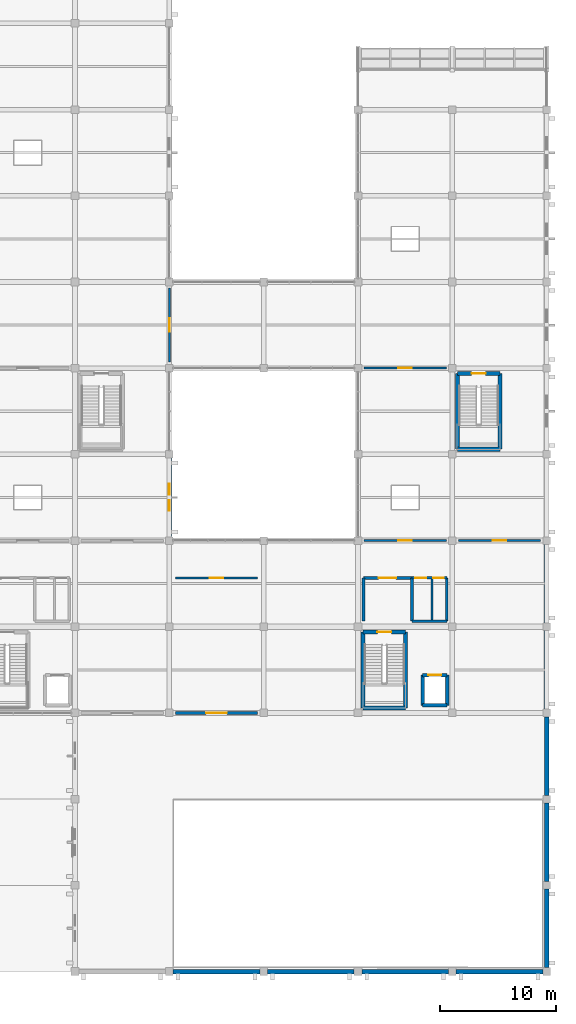
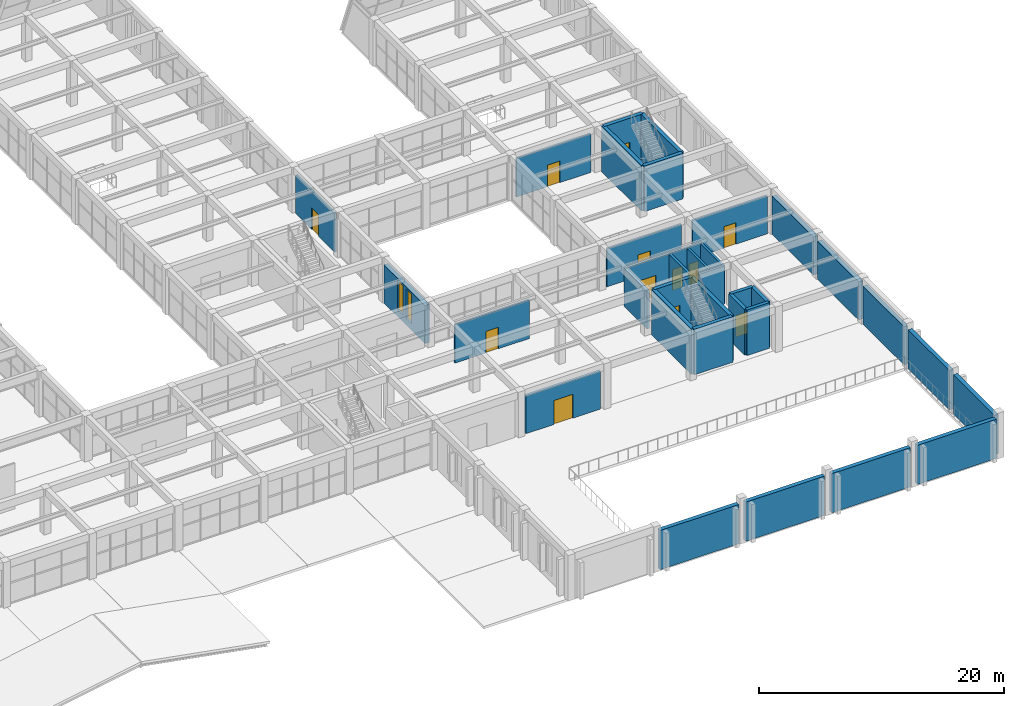
# One storey, part 151 of 161: 35 walls, 12 doors, 2 windows, 14 openings.
"""IFC4 building model written with IfcOpenShell, lengths in metres."""

from ifc_helpers import new_model, si_unit, direction, frame, frame_2d, origin, place, context, subcontext, project, spatial, rectangle, extrude, material, layer, layer_set, type_object, element, fill, save


model = new_model("IFC4")

# Units and contexts
model_context = context("Model", 3, precision=1e-05, world=origin(), true_north=direction((0.0, 1.0)))
body_context = subcontext(model_context, "Body", "Model", "MODEL_VIEW")
ifc_project = project(units=[si_unit("LENGTHUNIT", "METRE"), si_unit("AREAUNIT", "SQUARE_METRE"), si_unit("VOLUMEUNIT", "CUBIC_METRE"), si_unit("PLANEANGLEUNIT", "RADIAN"), si_unit("MASSUNIT", "GRAM", prefix="KILO")], contexts=[model_context])

# Site, building, storey
site_placement = place(None, origin())
site = spatial("IfcSite", under=ifc_project, at=site_placement, CompositionType="ELEMENT")
building_placement = place(site_placement, origin())
building = spatial("IfcBuilding", under=site, at=building_placement, Name="Cimatlan Art Gallery", CompositionType="ELEMENT")
storey_placement = place(building_placement, frame((0.0, 0.0, 5.39990234375)))
storey = spatial("IfcBuildingStorey", under=building, at=storey_placement, Name="L01", CompositionType="ELEMENT", Elevation=5.39990234375)

# Walls
ifc_material_1 = material(Name="Concrete C40/50", Category="concrete")
ifc_layer_1 = layer(ifc_material_1, 0.31005859375)
ifc_layer_set_1 = layer_set([ifc_layer_1], Name="Concrete C40/50")
wall_type_1 = type_object("IfcWallType", Name="W-CORE-310", PredefinedType="SHEAR", material=ifc_layer_set_1)
wall_1_placement = place(storey_placement, frame((153.35009765625, 24.550048828125, 0.0), z_axis=(0.0, 0.0, 1.0), x_axis=(0.0, 1.0, 0.0)))
element("IfcWall", 1, at=wall_1_placement, inside=storey, type_object=wall_type_1, Name="WL-SHFT-C5-L01-LW", PredefinedType="SHEAR", context=body_context, shape_type="SweptSolid", body=[
    extrude(rectangle(XDim=2.599853515625, YDim=0.31005859375, at=frame_2d((1.2998046875, 0.0))), origin(), (0.0, 0.0, 1.0), 4.55517578125),
])
wall_2_placement = place(storey_placement, frame((153.35009765625, 24.550048828125, 0.0), z_axis=(0.0, 0.0, 1.0), x_axis=(1.0, 0.0, 0.0)))
element("IfcWall", 2, at=wall_2_placement, inside=storey, type_object=wall_type_1, Name="WL-SHFT-C5-L01-LS", PredefinedType="SHEAR", context=body_context, shape_type="SweptSolid", body=[
    extrude(rectangle(XDim=2.099853515625, YDim=0.31005859375, at=frame_2d((1.0498046875, 0.0))), origin(), (0.0, 0.0, 1.0), 4.55517578125),
])
wall_3_placement = place(storey_placement, frame((155.449951171875, 24.550048828125, 0.0), z_axis=(0.0, 0.0, 1.0), x_axis=(0.0, 1.0, 0.0)))
element("IfcWall", 3, at=wall_3_placement, inside=storey, type_object=wall_type_1, Name="WL-SHFT-C5-L01-LE", PredefinedType="SHEAR", context=body_context, shape_type="SweptSolid", body=[
    extrude(rectangle(XDim=2.599853515625, YDim=0.31005859375, at=frame_2d((1.2998046875, 0.0))), origin(), (0.0, 0.0, 1.0), 4.55517578125),
])

# Wall, opening, door
wall_4_placement = place(storey_placement, frame((153.35009765625, 27.14990234375, 0.0), z_axis=(0.0, 0.0, 1.0), x_axis=(1.0, 0.0, 0.0)))
wall_4 = element("IfcWall", 4, at=wall_4_placement, inside=storey, type_object=wall_type_1, Name="WL-SHFT-C5-L01-LN", PredefinedType="SHEAR", context=body_context, shape_type="SweptSolid", body=[
    extrude(rectangle(XDim=2.099853515625, YDim=0.31005859375, at=frame_2d((1.0498046875, 0.0))), origin(), (0.0, 0.0, 1.0), 4.55517578125),
])
opening_1_placement = place(wall_4_placement, frame((0.5, 0.0, 0.0)))
opening_1 = element("IfcOpeningElement", 5, at=opening_1_placement, cuts=wall_4, Name="Opening LD-C5-L01", PredefinedType="OPENING", context=body_context, shape_type="SweptSolid", body=[
    extrude(rectangle(XDim=1.10009765625, YDim=2.14990234375, at=frame_2d((0.550048828125, 1.074951171875))), frame((0.0, 0.1650390625, 0.0), z_axis=(0.0, -1.0, 0.0), x_axis=(1.0, 0.0, 0.0)), (0.0, 0.0, 1.0), 0.330078125),
])
ifc_material_2 = material(Name="Brushed bronze sliding lift landing door")
door_type_1 = type_object("IfcDoorType", Name="LD-PS-1100", OperationType="NOTDEFINED", PredefinedType="DOOR", material=ifc_material_2)
door_1_placement = place(opening_1_placement, origin())
door_1 = element("IfcDoor", 6, at=door_1_placement, inside=storey, type_object=door_type_1, Name="LD-PL-02-L01", OperationType="SLIDING_TO_RIGHT", OverallHeight=2.14990234375, OverallWidth=1.10009765625, PredefinedType="DOOR", context=body_context, shape_type="SweptSolid", body=[
    extrude(rectangle(XDim=1.10009765625, YDim=2.14990234375, at=frame_2d((0.550048828125, 1.074951171875))), frame((0.0, 0.02490234375, 0.0), z_axis=(0.0, -1.0, 0.0), x_axis=(1.0, 0.0, 0.0)), (0.0, 0.0, 1.0), 0.050048828125),
])
fill(opening_1, door_1)

# Walls
ifc_layer_2 = layer(ifc_material_1, 0.35009765625)
ifc_layer_set_2 = layer_set([ifc_layer_2], Name="Concrete C40/50")
wall_type_2 = type_object("IfcWallType", Name="W-CORE-350", PredefinedType="SHEAR", material=ifc_layer_set_2)
wall_5_placement = place(storey_placement, frame((148.239990234375, 24.340087890625, 0.0), z_axis=(0.0, 0.0, 1.0), x_axis=(0.0, 1.0, 0.0)))
element("IfcWall", 7, at=wall_5_placement, inside=storey, type_object=wall_type_2, Name="WL-CORE-C5-L01-SW", PredefinedType="SHEAR", context=body_context, shape_type="SweptSolid", body=[
    extrude(rectangle(XDim=6.52001953125, YDim=0.35009765625, at=frame_2d((3.260009765625, 0.0))), origin(), (0.0, 0.0, 1.0), 4.55517578125),
])
wall_6_placement = place(storey_placement, frame((148.239990234375, 24.340087890625, 0.0), z_axis=(0.0, 0.0, 1.0), x_axis=(1.0, 0.0, 0.0)))
element("IfcWall", 8, at=wall_6_placement, inside=storey, type_object=wall_type_2, Name="WL-CORE-C5-L01-SS", PredefinedType="SHEAR", context=body_context, shape_type="SweptSolid", body=[
    extrude(rectangle(XDim=3.639892578125, YDim=0.35009765625, at=frame_2d((1.81982421875, 0.0))), origin(), (0.0, 0.0, 1.0), 4.55517578125),
])
wall_7_placement = place(storey_placement, frame((151.8798828125, 24.340087890625, 0.0), z_axis=(0.0, 0.0, 1.0), x_axis=(0.0, 1.0, 0.0)))
element("IfcWall", 9, at=wall_7_placement, inside=storey, type_object=wall_type_2, Name="WL-CORE-C5-L01-SE", PredefinedType="SHEAR", context=body_context, shape_type="SweptSolid", body=[
    extrude(rectangle(XDim=6.52001953125, YDim=0.35009765625, at=frame_2d((3.260009765625, 0.0))), origin(), (0.0, 0.0, 1.0), 4.55517578125),
])

# Wall, opening, door
wall_8_placement = place(storey_placement, frame((148.239990234375, 30.860107421875, 0.0), z_axis=(0.0, 0.0, 1.0), x_axis=(1.0, 0.0, 0.0)))
wall_8 = element("IfcWall", 10, at=wall_8_placement, inside=storey, type_object=wall_type_2, Name="WL-CORE-C5-L01-SN", PredefinedType="SHEAR", context=body_context, shape_type="SweptSolid", body=[
    extrude(rectangle(XDim=3.639892578125, YDim=0.35009765625, at=frame_2d((1.81982421875, 0.0))), origin(), (0.0, 0.0, 1.0), 4.55517578125),
])
opening_2_placement = place(wall_8_placement, frame((1.219970703125, 0.0, 0.0)))
opening_2 = element("IfcOpeningElement", 11, at=opening_2_placement, cuts=wall_8, Name="Opening FD-C5-L01", PredefinedType="OPENING", context=body_context, shape_type="SweptSolid", body=[
    extrude(rectangle(XDim=1.199951171875, YDim=2.14990234375, at=frame_2d((0.60009765625, 1.074951171875))), frame((0.0, 0.18505859375, 0.0), z_axis=(0.0, -1.0, 0.0), x_axis=(1.0, 0.0, 0.0)), (0.0, 0.0, 1.0), 0.3701171875),
])
ifc_material_3 = material(Name="Fire-resisting steel acoustic stair door", Category="steel")
door_type_2 = type_object("IfcDoorType", Name="FD-ST-1200", OperationType="NOTDEFINED", PredefinedType="DOOR", material=ifc_material_3)
door_2_placement = place(opening_2_placement, origin())
door_2 = element("IfcDoor", 12, at=door_2_placement, inside=storey, type_object=door_type_2, Name="DR-C5-L01-ST", OperationType="SINGLE_SWING_LEFT", OverallHeight=2.14990234375, OverallWidth=1.199951171875, PredefinedType="DOOR", context=body_context, shape_type="SweptSolid", body=[
    extrude(rectangle(XDim=1.199951171875, YDim=2.14990234375, at=frame_2d((0.60009765625, 1.074951171875))), frame((0.0, 0.02490234375, 0.0), z_axis=(0.0, -1.0, 0.0), x_axis=(1.0, 0.0, 0.0)), (0.0, 0.0, 1.0), 0.050048828125),
])
fill(opening_2, door_2)

# Walls
wall_9_placement = place(storey_placement, frame((156.340087890625, 46.5400390625, 0.0), z_axis=(0.0, 0.0, 1.0), x_axis=(0.0, 1.0, 0.0)))
element("IfcWall", 13, at=wall_9_placement, inside=storey, type_object=wall_type_2, Name="WL-CORE-C10-L01-SW", PredefinedType="SHEAR", context=body_context, shape_type="SweptSolid", body=[
    extrude(rectangle(XDim=6.52001953125, YDim=0.35009765625, at=frame_2d((3.260009765625, 0.0))), origin(), (0.0, 0.0, 1.0), 4.55517578125),
])
wall_10_placement = place(storey_placement, frame((156.340087890625, 46.5400390625, 0.0), z_axis=(0.0, 0.0, 1.0), x_axis=(1.0, 0.0, 0.0)))
element("IfcWall", 14, at=wall_10_placement, inside=storey, type_object=wall_type_2, Name="WL-CORE-C10-L01-SS", PredefinedType="SHEAR", context=body_context, shape_type="SweptSolid", body=[
    extrude(rectangle(XDim=3.639892578125, YDim=0.35009765625, at=frame_2d((1.81982421875, 0.0))), origin(), (0.0, 0.0, 1.0), 4.55517578125),
])
wall_11_placement = place(storey_placement, frame((159.97998046875, 46.5400390625, 0.0), z_axis=(0.0, 0.0, 1.0), x_axis=(0.0, 1.0, 0.0)))
element("IfcWall", 15, at=wall_11_placement, inside=storey, type_object=wall_type_2, Name="WL-CORE-C10-L01-SE", PredefinedType="SHEAR", context=body_context, shape_type="SweptSolid", body=[
    extrude(rectangle(XDim=6.52001953125, YDim=0.35009765625, at=frame_2d((3.260009765625, 0.0))), origin(), (0.0, 0.0, 1.0), 4.55517578125),
])

# Wall, opening, door
wall_12_placement = place(storey_placement, frame((156.340087890625, 53.06005859375, 0.0), z_axis=(0.0, 0.0, 1.0), x_axis=(1.0, 0.0, 0.0)))
wall_12 = element("IfcWall", 16, at=wall_12_placement, inside=storey, type_object=wall_type_2, Name="WL-CORE-C10-L01-SN", PredefinedType="SHEAR", context=body_context, shape_type="SweptSolid", body=[
    extrude(rectangle(XDim=3.639892578125, YDim=0.35009765625, at=frame_2d((1.81982421875, 0.0))), origin(), (0.0, 0.0, 1.0), 4.55517578125),
])
opening_3_placement = place(wall_12_placement, frame((1.219970703125, 0.0, 0.0)))
opening_3 = element("IfcOpeningElement", 17, at=opening_3_placement, cuts=wall_12, Name="Opening FD-C10-L01", PredefinedType="OPENING", context=body_context, shape_type="SweptSolid", body=[
    extrude(rectangle(XDim=1.199951171875, YDim=2.14990234375, at=frame_2d((0.60009765625, 1.074951171875))), frame((0.0, 0.18505859375, 0.0), z_axis=(0.0, -1.0, 0.0), x_axis=(1.0, 0.0, 0.0)), (0.0, 0.0, 1.0), 0.3701171875),
])
door_3_placement = place(opening_3_placement, origin())
door_3 = element("IfcDoor", 18, at=door_3_placement, inside=storey, type_object=door_type_2, Name="DR-C10-L01-ST", OperationType="SINGLE_SWING_RIGHT", OverallHeight=2.14990234375, OverallWidth=1.199951171875, PredefinedType="DOOR", context=body_context, shape_type="SweptSolid", body=[
    extrude(rectangle(XDim=1.199951171875, YDim=2.14990234375, at=frame_2d((0.60009765625, 1.074951171875))), frame((0.0, 0.02490234375, 0.0), z_axis=(0.0, -1.0, 0.0), x_axis=(1.0, 0.0, 0.0)), (0.0, 0.0, 1.0), 0.050048828125),
])
fill(opening_3, door_3)

ifc_material_4 = material(Name="Precast concrete C40/50", Category="concrete")
ifc_layer_3 = layer(ifc_material_4, 0.2451171875)
ifc_layer_set_3 = layer_set([ifc_layer_3], Name="Precast concrete C40/50")
wall_type_3 = type_object("IfcWallType", Name="W-FFL-245", PredefinedType="PARTITIONING", material=ifc_layer_set_3)
wall_13_placement = place(storey_placement, frame((148.280029296875, 35.5, 0.0), z_axis=(0.0, 0.0, 1.0), x_axis=(1.0, 0.0, 0.0)))
wall_13 = element("IfcWall", 19, at=wall_13_placement, inside=storey, type_object=wall_type_3, Name="WL-LOB-C5-L01-N", PredefinedType="PARTITIONING", context=body_context, shape_type="SweptSolid", body=[
    extrude(rectangle(XDim=4.169921875, YDim=0.2451171875, at=frame_2d((2.0849609375, 0.0))), origin(), (0.0, 0.0, 1.0), 3.85009765625),
])
opening_4_placement = place(wall_13_placement, frame((1.300048828125, 0.0, 0.0)))
opening_4 = element("IfcOpeningElement", 20, at=opening_4_placement, cuts=wall_13, Name="Opening FDL-C5-L01", PredefinedType="OPENING", context=body_context, shape_type="SweptSolid", body=[
    extrude(rectangle(XDim=1.5, YDim=2.14990234375, at=frame_2d((0.75, 1.074951171875))), frame((0.0, 0.132568359375, 0.0), z_axis=(0.0, -1.0, 0.0), x_axis=(1.0, 0.0, 0.0)), (0.0, 0.0, 1.0), 0.26513671875),
])
ifc_material_5 = material(Name="Fire-resisting double-seal lobby door")
door_type_3 = type_object("IfcDoorType", Name="FD-LB-1500", OperationType="NOTDEFINED", PredefinedType="DOOR", material=ifc_material_5)
door_4_placement = place(opening_4_placement, origin())
door_4 = element("IfcDoor", 21, at=door_4_placement, inside=storey, type_object=door_type_3, Name="DR-LOB-C5-L01", OperationType="SINGLE_SWING_RIGHT", OverallHeight=2.14990234375, OverallWidth=1.5, PredefinedType="DOOR", context=body_context, shape_type="SweptSolid", body=[
    extrude(rectangle(XDim=1.5, YDim=2.14990234375, at=frame_2d((0.75, 1.074951171875))), frame((0.0, 0.02490234375, 0.0), z_axis=(0.0, -1.0, 0.0), x_axis=(1.0, 0.0, 0.0)), (0.0, 0.0, 1.0), 0.050048828125),
])
fill(opening_4, door_4)

# Walls
for number, where, z_axis, x_axis, name in (
    (22, (148.280029296875, 31.780029296875, 0.0), (0.0, 0.0, 1.0), (0.0, 1.0, 0.0), "WL-LOB-C5-L01-W"),
    (23, (152.449951171875, 31.780029296875, 0.0), (0.0, 0.0, 1.0), (0.0, 1.0, 0.0), "WL-LOB-C5-L01-M"),
):
    element("IfcWall", number, at=place(storey_placement, frame(where, z_axis=z_axis, x_axis=x_axis)), inside=storey, type_object=wall_type_3, Name=name, PredefinedType="PARTITIONING", context=body_context, shape_type="SweptSolid", body=[
        extrude(rectangle(XDim=3.719970703125, YDim=0.2451171875, at=frame_2d((1.85986328125, 0.0))), origin(), (0.0, 0.0, 1.0), 3.800048828125),
    ])

# Wall, opening, door
ifc_material_6 = material(Name="Acoustic gypsum and steel stud partition", Category="steel")
ifc_layer_4 = layer(ifc_material_6, 0.22509765625)
ifc_layer_set_4 = layer_set([ifc_layer_4], Name="Acoustic gypsum and steel stud partition")
wall_type_4 = type_object("IfcWallType", Name="W-GAL-225", PredefinedType="PARTITIONING", material=ifc_layer_set_4)
wall_14_placement = place(storey_placement, frame((132.1201171875, 23.89990234375, 0.0), z_axis=(0.0, 0.0, 1.0), x_axis=(1.0, 0.0, 0.0)))
wall_14 = element("IfcWall", 24, at=wall_14_placement, inside=storey, type_object=wall_type_4, Name="WL-RM-L01-AUD-BAL", PredefinedType="PARTITIONING", context=body_context, shape_type="SweptSolid", body=[
    extrude(rectangle(XDim=7.059814453125, YDim=0.22509765625, at=frame_2d((3.52978515625, 0.0))), origin(), (0.0, 0.0, 1.0), 3.800048828125),
])
opening_5_placement = place(wall_14_placement, frame((2.6298828125, 0.0, 0.0)))
opening_5 = element("IfcOpeningElement", 25, at=opening_5_placement, cuts=wall_14, Name="Opening DI-0212", PredefinedType="OPENING", context=body_context, shape_type="SweptSolid", body=[
    extrude(rectangle(XDim=1.800048828125, YDim=2.39990234375, at=frame_2d((0.89990234375, 1.199951171875))), frame((0.0, 0.12255859375, 0.0), z_axis=(0.0, -1.0, 0.0), x_axis=(1.0, 0.0, 0.0)), (0.0, 0.0, 1.0), 0.2451171875),
])
ifc_material_7 = material(Name="Acoustic timber auditorium door", Category="wood")
door_type_4 = type_object("IfcDoorType", Name="DI-AU-1800", OperationType="NOTDEFINED", PredefinedType="DOOR", material=ifc_material_7)
door_5_placement = place(opening_5_placement, origin())
door_5 = element("IfcDoor", 26, at=door_5_placement, inside=storey, type_object=door_type_4, Name="DR-RM-L01-AUD-BAL", OperationType="SINGLE_SWING_RIGHT", OverallHeight=2.39990234375, OverallWidth=1.800048828125, PredefinedType="DOOR", context=body_context, shape_type="SweptSolid", body=[
    extrude(rectangle(XDim=1.800048828125, YDim=2.39990234375, at=frame_2d((0.89990234375, 1.199951171875))), frame((0.0, 0.02490234375, 0.0), z_axis=(0.0, -1.0, 0.0), x_axis=(1.0, 0.0, 0.0)), (0.0, 0.0, 1.0), 0.050048828125),
])
fill(opening_5, door_5)

# Walls
ifc_material_8 = material(Name="Moisture-resistant fire-rated plumbing wall")
ifc_layer_5 = layer(ifc_material_8, 0.195068359375)
ifc_layer_set_5 = layer_set([ifc_layer_5], Name="Moisture-resistant fire-rated plumbing wall")
wall_type_5 = type_object("IfcWallType", Name="W-PLM-195", PredefinedType="PARTITIONING", material=ifc_layer_set_5)
for number, where, z_axis, x_axis, name in (
    (27, (154.14990234375, 31.780029296875, 0.0), (0.0, 0.0, 1.0), (0.0, 1.0, 0.0), "WL-LOB-C5-L01-D"),
    (28, (155.419921875, 31.780029296875, 0.0), (0.0, 0.0, 1.0), (0.0, 1.0, 0.0), "WL-LOB-C5-L01-E"),
):
    element("IfcWall", number, at=place(storey_placement, frame(where, z_axis=z_axis, x_axis=x_axis)), inside=storey, type_object=wall_type_5, Name=name, PredefinedType="PARTITIONING", context=body_context, shape_type="SweptSolid", body=[
        extrude(rectangle(XDim=3.719970703125, YDim=0.195068359375, at=frame_2d((1.85986328125, 0.0))), origin(), (0.0, 0.0, 1.0), 3.800048828125),
    ])
wall_15_placement = place(storey_placement, frame((152.449951171875, 31.780029296875, 0.0), z_axis=(0.0, 0.0, 1.0), x_axis=(1.0, 0.0, 0.0)))
element("IfcWall", 29, at=wall_15_placement, inside=storey, type_object=wall_type_5, Name="WL-LOB-C5-L01-S", PredefinedType="PARTITIONING", context=body_context, shape_type="SweptSolid", body=[
    extrude(rectangle(XDim=2.969970703125, YDim=0.195068359375, at=frame_2d((1.48486328125, 0.0))), origin(), (0.0, 0.0, 1.0), 3.800048828125),
])

# Wall, openings, doors
wall_16_placement = place(storey_placement, frame((152.449951171875, 35.5, 0.0), z_axis=(0.0, 0.0, 1.0), x_axis=(1.0, 0.0, 0.0)))
wall_16 = element("IfcWall", 30, at=wall_16_placement, inside=storey, type_object=wall_type_5, Name="WL-WC-C5-L01-N", PredefinedType="PARTITIONING", context=body_context, shape_type="SweptSolid", body=[
    extrude(rectangle(XDim=2.969970703125, YDim=0.195068359375, at=frame_2d((1.48486328125, 0.0))), origin(), (0.0, 0.0, 1.0), 3.85009765625),
])
opening_6_placement = place(wall_16_placement, frame((0.25, 0.0, 0.0)))
opening_6 = element("IfcOpeningElement", 31, at=opening_6_placement, cuts=wall_16, Name="Opening DWC-C5A-L01", PredefinedType="OPENING", context=body_context, shape_type="SweptSolid", body=[
    extrude(rectangle(XDim=0.949951171875, YDim=2.10009765625, at=frame_2d((0.47509765625, 1.050048828125))), frame((0.0, 0.107421875, 0.0), z_axis=(0.0, -1.0, 0.0), x_axis=(1.0, 0.0, 0.0)), (0.0, 0.0, 1.0), 0.215087890625),
])
opening_7_placement = place(wall_16_placement, frame((1.820068359375, 0.0, 0.0)))
opening_7 = element("IfcOpeningElement", 32, at=opening_7_placement, cuts=wall_16, Name="Opening DWC-C5B-L01", PredefinedType="OPENING", context=body_context, shape_type="SweptSolid", body=[
    extrude(rectangle(XDim=0.89990234375, YDim=2.10009765625, at=frame_2d((0.449951171875, 1.050048828125))), frame((0.0, 0.107421875, 0.0), z_axis=(0.0, -1.0, 0.0), x_axis=(1.0, 0.0, 0.0)), (0.0, 0.0, 1.0), 0.215087890625),
])
ifc_material_9 = material(Name="Sanitary room door")
door_type_5 = type_object("IfcDoorType", Name="DI-WC-0900", OperationType="NOTDEFINED", PredefinedType="DOOR", material=ifc_material_9)
door_6_placement = place(opening_7_placement, origin())
door_6 = element("IfcDoor", 33, at=door_6_placement, inside=storey, type_object=door_type_5, Name="DR-PWC-C5-L01", OperationType="SINGLE_SWING_RIGHT", OverallHeight=2.10009765625, OverallWidth=0.89990234375, PredefinedType="DOOR", context=body_context, shape_type="SweptSolid", body=[
    extrude(rectangle(XDim=0.89990234375, YDim=2.10009765625, at=frame_2d((0.449951171875, 1.050048828125))), frame((0.0, 0.02490234375, 0.0), z_axis=(0.0, -1.0, 0.0), x_axis=(1.0, 0.0, 0.0)), (0.0, 0.0, 1.0), 0.050048828125),
])
fill(opening_7, door_6)
ifc_material_10 = material(Name="Accessible sanitary room door")
door_type_6 = type_object("IfcDoorType", Name="DI-WC-0950", OperationType="NOTDEFINED", PredefinedType="DOOR", material=ifc_material_10)
door_7_placement = place(opening_6_placement, origin())
door_7 = element("IfcDoor", 34, at=door_7_placement, inside=storey, type_object=door_type_6, Name="DR-AWC-C5-L01", OperationType="SINGLE_SWING_LEFT", OverallHeight=2.10009765625, OverallWidth=0.949951171875, PredefinedType="DOOR", context=body_context, shape_type="SweptSolid", body=[
    extrude(rectangle(XDim=0.949951171875, YDim=2.10009765625, at=frame_2d((0.47509765625, 1.050048828125))), frame((0.0, 0.02490234375, 0.0), z_axis=(0.0, -1.0, 0.0), x_axis=(1.0, 0.0, 0.0)), (0.0, 0.0, 1.0), 0.050048828125),
])
fill(opening_6, door_7)

# Wall, opening, door
ifc_layer_6 = layer(ifc_material_6, 0.179931640625)
ifc_layer_set_6 = layer_set([ifc_layer_6], Name="Acoustic gypsum and steel stud partition")
wall_type_6 = type_object("IfcWallType", Name="W-STD-180", PredefinedType="PARTITIONING", material=ifc_layer_set_6)
wall_17_placement = place(storey_placement, frame((132.1201171875, 35.5, 0.0), z_axis=(0.0, 0.0, 1.0), x_axis=(1.0, 0.0, 0.0)))
wall_17 = element("IfcWall", 35, at=wall_17_placement, inside=storey, type_object=wall_type_6, Name="WL-RM-L01-STD-COM", PredefinedType="PARTITIONING", context=body_context, shape_type="SweptSolid", body=[
    extrude(rectangle(XDim=7.059814453125, YDim=0.179931640625, at=frame_2d((3.52978515625, 0.0))), origin(), (0.0, 0.0, 1.0), 3.85009765625),
])
opening_8_placement = place(wall_17_placement, frame((2.955078125, 0.0, 0.0)))
opening_8 = element("IfcOpeningElement", 36, at=opening_8_placement, cuts=wall_17, Name="Opening DI-0216", PredefinedType="OPENING", context=body_context, shape_type="SweptSolid", body=[
    extrude(rectangle(XDim=1.14990234375, YDim=2.14990234375, at=frame_2d((0.574951171875, 1.074951171875))), frame((0.0, 0.10009765625, 0.0), z_axis=(0.0, -1.0, 0.0), x_axis=(1.0, 0.0, 0.0)), (0.0, 0.0, 1.0), 0.199951171875),
])
ifc_material_11 = material(Name="Solid oak artists' studio door")
door_type_7 = type_object("IfcDoorType", Name="DI-SD-1150", OperationType="NOTDEFINED", PredefinedType="DOOR", material=ifc_material_11)
door_8_placement = place(opening_8_placement, origin())
door_8 = element("IfcDoor", 37, at=door_8_placement, inside=storey, type_object=door_type_7, Name="DR-RM-L01-STD-COM", OperationType="SINGLE_SWING_RIGHT", OverallHeight=2.14990234375, OverallWidth=1.14990234375, PredefinedType="DOOR", context=body_context, shape_type="SweptSolid", body=[
    extrude(rectangle(XDim=1.14990234375, YDim=2.14990234375, at=frame_2d((0.574951171875, 1.074951171875))), frame((0.0, 0.02490234375, 0.0), z_axis=(0.0, -1.0, 0.0), x_axis=(1.0, 0.0, 0.0)), (0.0, 0.0, 1.0), 0.050048828125),
])
fill(opening_8, door_8)

wall_18_placement = place(storey_placement, frame((131.60009765625, 54.02001953125, 0.0), z_axis=(0.0, 0.0, 1.0), x_axis=(0.0, 1.0, 0.0)))
wall_18 = element("IfcWall", 38, at=wall_18_placement, inside=storey, type_object=wall_type_6, Name="WL-RM-L01-STD-BRG", PredefinedType="PARTITIONING", context=body_context, shape_type="SweptSolid", body=[
    extrude(rectangle(XDim=6.35986328125, YDim=0.179931640625, at=frame_2d((3.179931640625, 0.0))), origin(), (0.0, 0.0, 1.0), 3.85009765625),
])
opening_9_placement = place(wall_18_placement, frame((2.60498046875, 0.0, 0.0)))
opening_9 = element("IfcOpeningElement", 39, at=opening_9_placement, cuts=wall_18, Name="Opening DI-0217", PredefinedType="OPENING", context=body_context, shape_type="SweptSolid", body=[
    extrude(rectangle(XDim=1.14990234375, YDim=2.14990234375, at=frame_2d((0.574951171875, 1.074951171875))), frame((0.0, 0.10009765625, 0.0), z_axis=(0.0, -1.0, 0.0), x_axis=(1.0, 0.0, 0.0)), (0.0, 0.0, 1.0), 0.199951171875),
])
door_9_placement = place(opening_9_placement, origin())
door_9 = element("IfcDoor", 40, at=door_9_placement, inside=storey, type_object=door_type_7, Name="DR-RM-L01-STD-BRG", OperationType="SINGLE_SWING_LEFT", OverallHeight=2.14990234375, OverallWidth=1.14990234375, PredefinedType="DOOR", context=body_context, shape_type="SweptSolid", body=[
    extrude(rectangle(XDim=1.14990234375, YDim=2.14990234375, at=frame_2d((0.574951171875, 1.074951171875))), frame((0.0, 0.02490234375, 0.0), z_axis=(0.0, -1.0, 0.0), x_axis=(1.0, 0.0, 0.0)), (0.0, 0.0, 1.0), 0.050048828125),
])
fill(opening_9, door_9)

wall_19_placement = place(storey_placement, frame((148.320068359375, 38.699951171875, 0.0), z_axis=(0.0, 0.0, 1.0), x_axis=(1.0, 0.0, 0.0)))
wall_19 = element("IfcWall", 41, at=wall_19_placement, inside=storey, type_object=wall_type_6, Name="WL-RM-L01-STD-01", PredefinedType="PARTITIONING", context=body_context, shape_type="SweptSolid", body=[
    extrude(rectangle(XDim=7.059814453125, YDim=0.179931640625, at=frame_2d((3.52978515625, 0.0))), origin(), (0.0, 0.0, 1.0), 3.800048828125),
])
opening_10_placement = place(wall_19_placement, frame((2.955078125, 0.0, 0.0)))
opening_10 = element("IfcOpeningElement", 42, at=opening_10_placement, cuts=wall_19, Name="Opening DI-0218", PredefinedType="OPENING", context=body_context, shape_type="SweptSolid", body=[
    extrude(rectangle(XDim=1.14990234375, YDim=2.14990234375, at=frame_2d((0.574951171875, 1.074951171875))), frame((0.0, 0.10009765625, 0.0), z_axis=(0.0, -1.0, 0.0), x_axis=(1.0, 0.0, 0.0)), (0.0, 0.0, 1.0), 0.199951171875),
])
door_10_placement = place(opening_10_placement, origin())
door_10 = element("IfcDoor", 43, at=door_10_placement, inside=storey, type_object=door_type_7, Name="DR-RM-L01-STD-01", OperationType="SINGLE_SWING_RIGHT", OverallHeight=2.14990234375, OverallWidth=1.14990234375, PredefinedType="DOOR", context=body_context, shape_type="SweptSolid", body=[
    extrude(rectangle(XDim=1.14990234375, YDim=2.14990234375, at=frame_2d((0.574951171875, 1.074951171875))), frame((0.0, 0.02490234375, 0.0), z_axis=(0.0, -1.0, 0.0), x_axis=(1.0, 0.0, 0.0)), (0.0, 0.0, 1.0), 0.050048828125),
])
fill(opening_10, door_10)

wall_20_placement = place(storey_placement, frame((156.419921875, 38.699951171875, 0.0), z_axis=(0.0, 0.0, 1.0), x_axis=(1.0, 0.0, 0.0)))
wall_20 = element("IfcWall", 44, at=wall_20_placement, inside=storey, type_object=wall_type_6, Name="WL-RM-L01-STD-01B", PredefinedType="PARTITIONING", context=body_context, shape_type="SweptSolid", body=[
    extrude(rectangle(XDim=7.06005859375, YDim=0.179931640625, at=frame_2d((3.530029296875, 0.0))), origin(), (0.0, 0.0, 1.0), 3.800048828125),
])
opening_11_placement = place(wall_20_placement, frame((2.955078125, 0.0, 0.0)))
opening_11 = element("IfcOpeningElement", 45, at=opening_11_placement, cuts=wall_20, Name="Opening DI-0219", PredefinedType="OPENING", context=body_context, shape_type="SweptSolid", body=[
    extrude(rectangle(XDim=1.14990234375, YDim=2.14990234375, at=frame_2d((0.574951171875, 1.074951171875))), frame((0.0, 0.10009765625, 0.0), z_axis=(0.0, -1.0, 0.0), x_axis=(1.0, 0.0, 0.0)), (0.0, 0.0, 1.0), 0.199951171875),
])
door_11_placement = place(opening_11_placement, origin())
door_11 = element("IfcDoor", 46, at=door_11_placement, inside=storey, type_object=door_type_7, Name="DR-RM-L01-STD-01B", OperationType="SINGLE_SWING_LEFT", OverallHeight=2.14990234375, OverallWidth=1.14990234375, PredefinedType="DOOR", context=body_context, shape_type="SweptSolid", body=[
    extrude(rectangle(XDim=1.14990234375, YDim=2.14990234375, at=frame_2d((0.574951171875, 1.074951171875))), frame((0.0, 0.02490234375, 0.0), z_axis=(0.0, -1.0, 0.0), x_axis=(1.0, 0.0, 0.0)), (0.0, 0.0, 1.0), 0.050048828125),
])
fill(opening_11, door_11)

wall_21_placement = place(storey_placement, frame((148.320068359375, 53.5, 0.0), z_axis=(0.0, 0.0, 1.0), x_axis=(1.0, 0.0, 0.0)))
wall_21 = element("IfcWall", 47, at=wall_21_placement, inside=storey, type_object=wall_type_6, Name="WL-RM-L01-STD-02", PredefinedType="PARTITIONING", context=body_context, shape_type="SweptSolid", body=[
    extrude(rectangle(XDim=7.059814453125, YDim=0.179931640625, at=frame_2d((3.52978515625, 0.0))), origin(), (0.0, 0.0, 1.0), 3.85009765625),
])
opening_12_placement = place(wall_21_placement, frame((2.955078125, 0.0, 0.0)))
opening_12 = element("IfcOpeningElement", 48, at=opening_12_placement, cuts=wall_21, Name="Opening DI-0220", PredefinedType="OPENING", context=body_context, shape_type="SweptSolid", body=[
    extrude(rectangle(XDim=1.14990234375, YDim=2.14990234375, at=frame_2d((0.574951171875, 1.074951171875))), frame((0.0, 0.10009765625, 0.0), z_axis=(0.0, -1.0, 0.0), x_axis=(1.0, 0.0, 0.0)), (0.0, 0.0, 1.0), 0.199951171875),
])
door_12_placement = place(opening_12_placement, origin())
door_12 = element("IfcDoor", 49, at=door_12_placement, inside=storey, type_object=door_type_7, Name="DR-RM-L01-STD-02", OperationType="SINGLE_SWING_RIGHT", OverallHeight=2.14990234375, OverallWidth=1.14990234375, PredefinedType="DOOR", context=body_context, shape_type="SweptSolid", body=[
    extrude(rectangle(XDim=1.14990234375, YDim=2.14990234375, at=frame_2d((0.574951171875, 1.074951171875))), frame((0.0, 0.02490234375, 0.0), z_axis=(0.0, -1.0, 0.0), x_axis=(1.0, 0.0, 0.0)), (0.0, 0.0, 1.0), 0.050048828125),
])
fill(opening_12, door_12)

# Walls
ifc_layer_7 = layer(ifc_material_4, 0.385009765625)
ifc_layer_set_7 = layer_set([ifc_layer_7], Name="Precast concrete C40/50")
wall_type_7 = type_object("IfcWallType", Name="WL-EXT-AUD-385", PredefinedType="SOLIDWALL", material=ifc_layer_set_7)
wall_22_placement = place(storey_placement, frame((164.0, 23.571044921875, 0.0), z_axis=(0.0, 0.0, 1.0), x_axis=(0.0, -1.0, 0.0)))
element("IfcWall", 50, at=wall_22_placement, inside=storey, type_object=wall_type_7, Name="WL-EXT-L01-19-02-E", PredefinedType="SOLIDWALL", context=body_context, shape_type="SweptSolid", body=[
    extrude(rectangle(XDim=6.741943359375, YDim=0.385009765625, at=frame_2d((3.37109375, 0.0))), origin(), (0.0, 0.0, 1.0), 3.795166015625),
])
wall_23_placement = place(storey_placement, frame((139.37109375, 1.699951171875, 0.0), z_axis=(0.0, 0.0, 1.0), x_axis=(-1.0, 0.0, 0.0)))
element("IfcWall", 51, at=wall_23_placement, inside=storey, type_object=wall_type_7, Name="WL-EXT-L01-16-00-S", PredefinedType="SOLIDWALL", context=body_context, shape_type="SweptSolid", body=[
    extrude(rectangle(XDim=7.442138671875, YDim=0.385009765625, at=frame_2d((3.72119140625, 0.0))), origin(), (0.0, 0.0, 1.0), 3.920166015625),
])
wall_24_placement = place(storey_placement, frame((147.470947265625, 1.699951171875, 0.0), z_axis=(0.0, 0.0, 1.0), x_axis=(-1.0, 0.0, 0.0)))
element("IfcWall", 52, at=wall_24_placement, inside=storey, type_object=wall_type_7, Name="WL-EXT-L01-17-00-S", PredefinedType="SOLIDWALL", context=body_context, shape_type="SweptSolid", body=[
    extrude(rectangle(XDim=7.44189453125, YDim=0.385009765625, at=frame_2d((3.720947265625, 0.0))), origin(), (0.0, 0.0, 1.0), 3.920166015625),
])
wall_25_placement = place(storey_placement, frame((155.571044921875, 1.699951171875, 0.0), z_axis=(0.0, 0.0, 1.0), x_axis=(-1.0, 0.0, 0.0)))
element("IfcWall", 53, at=wall_25_placement, inside=storey, type_object=wall_type_7, Name="WL-EXT-L01-18-00-S", PredefinedType="SOLIDWALL", context=body_context, shape_type="SweptSolid", body=[
    extrude(rectangle(XDim=7.442138671875, YDim=0.385009765625, at=frame_2d((3.72119140625, 0.0))), origin(), (0.0, 0.0, 1.0), 3.920166015625),
])
wall_26_placement = place(storey_placement, frame((163.6708984375, 1.699951171875, 0.0), z_axis=(0.0, 0.0, 1.0), x_axis=(-1.0, 0.0, 0.0)))
element("IfcWall", 54, at=wall_26_placement, inside=storey, type_object=wall_type_7, Name="WL-EXT-L01-19-00-S", PredefinedType="SOLIDWALL", context=body_context, shape_type="SweptSolid", body=[
    extrude(rectangle(XDim=7.44189453125, YDim=0.385009765625, at=frame_2d((3.720947265625, 0.0))), origin(), (0.0, 0.0, 1.0), 3.920166015625),
])
for number, where, z_axis, x_axis, name in (
    (55, (164.0, 8.77099609375, 0.0), (0.0, 0.0, 1.0), (0.0, -1.0, 0.0), "WL-EXT-L01-19-00-E"),
    (56, (164.0, 16.1708984375, 0.0), (0.0, 0.0, 1.0), (0.0, -1.0, 0.0), "WL-EXT-L01-19-01-E"),
):
    element("IfcWall", number, at=place(storey_placement, frame(where, z_axis=z_axis, x_axis=x_axis)), inside=storey, type_object=wall_type_7, Name=name, PredefinedType="SOLIDWALL", context=body_context, shape_type="SweptSolid", body=[
        extrude(rectangle(XDim=6.741943359375, YDim=0.385009765625, at=frame_2d((3.37109375, 0.0))), origin(), (0.0, 0.0, 1.0), 3.920166015625),
    ])

# Wall, openings, windows
ifc_layer_8 = layer(ifc_material_4, 0.419921875)
ifc_layer_set_8 = layer_set([ifc_layer_8], Name="Precast concrete C40/50")
wall_type_8 = type_object("IfcWallType", Name="WL-EXT-CAN-420", PredefinedType="SOLIDWALL", material=ifc_layer_set_8)
wall_27_placement = place(storey_placement, frame((131.60009765625, 45.77099609375, 0.0), z_axis=(0.0, 0.0, 1.0), x_axis=(0.0, -1.0, 0.0)))
wall_27 = element("IfcWall", 57, at=wall_27_placement, inside=storey, type_object=wall_type_8, Name="WL-EXT-L01-15-05-E", PredefinedType="SOLIDWALL", context=body_context, shape_type="SweptSolid", body=[
    extrude(rectangle(XDim=6.741943359375, YDim=0.419921875, at=frame_2d((3.37109375, 0.0))), origin(), (0.0, 0.0, 1.0), 3.795166015625),
])
opening_13_placement = place(wall_27_placement, frame((2.2109375, 0.0, 0.64990234375)))
opening_13 = element("IfcOpeningElement", 58, at=opening_13_placement, cuts=wall_27, Name="Opening WN-0111", PredefinedType="OPENING", context=body_context, shape_type="SweptSolid", body=[
    extrude(rectangle(XDim=0.919921875, YDim=2.949951171875, at=frame_2d((0.4599609375, 1.47509765625))), frame((0.0, 0.219970703125, 0.0), z_axis=(0.0, -1.0, 0.0), x_axis=(1.0, 0.0, 0.0)), (0.0, 0.0, 1.0), 0.43994140625),
])
opening_14_placement = place(wall_27_placement, frame((3.611083984375, 0.0, 0.64990234375)))
opening_14 = element("IfcOpeningElement", 59, at=opening_14_placement, cuts=wall_27, Name="Opening WN-0112", PredefinedType="OPENING", context=body_context, shape_type="SweptSolid", body=[
    extrude(rectangle(XDim=0.919921875, YDim=2.949951171875, at=frame_2d((0.4599609375, 1.47509765625))), frame((0.0, 0.219970703125, 0.0), z_axis=(0.0, -1.0, 0.0), x_axis=(1.0, 0.0, 0.0)), (0.0, 0.0, 1.0), 0.43994140625),
])
ifc_material_12 = material(Name="Low-E laminated double glazing in bronze lancet frame", Category="glass")
window_type = type_object("IfcWindowType", Name="WIN-E-L01-0920X2950", PartitioningType="SINGLE_PANEL", PredefinedType="WINDOW", material=ifc_material_12)
window_1_placement = place(opening_13_placement, origin())
window_1 = element("IfcWindow", 60, at=window_1_placement, inside=storey, type_object=window_type, Name="WIN-0111", OverallHeight=2.949951171875, OverallWidth=0.919921875, PartitioningType="SINGLE_PANEL", PredefinedType="WINDOW", context=body_context, shape_type="SweptSolid", body=[
    extrude(rectangle(XDim=0.919921875, YDim=2.949951171875, at=frame_2d((0.4599609375, 1.47509765625))), frame((0.0, 0.030029296875, 0.0), z_axis=(0.0, -1.0, 0.0), x_axis=(1.0, 0.0, 0.0)), (0.0, 0.0, 1.0), 0.06005859375),
])
fill(opening_13, window_1)
window_2_placement = place(opening_14_placement, origin())
window_2 = element("IfcWindow", 61, at=window_2_placement, inside=storey, type_object=window_type, Name="WIN-0112", OverallHeight=2.949951171875, OverallWidth=0.919921875, PartitioningType="SINGLE_PANEL", PredefinedType="WINDOW", context=body_context, shape_type="SweptSolid", body=[
    extrude(rectangle(XDim=0.919921875, YDim=2.949951171875, at=frame_2d((0.4599609375, 1.47509765625))), frame((0.0, 0.030029296875, 0.0), z_axis=(0.0, -1.0, 0.0), x_axis=(1.0, 0.0, 0.0)), (0.0, 0.0, 1.0), 0.06005859375),
])
fill(opening_14, window_2)

# Walls
wall_28_placement = place(storey_placement, frame((164.0, 30.970947265625, 0.0), z_axis=(0.0, 0.0, 1.0), x_axis=(0.0, -1.0, 0.0)))
element("IfcWall", 62, at=wall_28_placement, inside=storey, type_object=wall_type_8, Name="WL-EXT-L01-19-03-E", PredefinedType="SOLIDWALL", context=body_context, shape_type="SweptSolid", body=[
    extrude(rectangle(XDim=6.741943359375, YDim=0.419921875, at=frame_2d((3.37109375, 0.0))), origin(), (0.0, 0.0, 1.0), 3.795166015625),
])
wall_29_placement = place(storey_placement, frame((164.0, 38.37109375, 0.0), z_axis=(0.0, 0.0, 1.0), x_axis=(0.0, -1.0, 0.0)))
element("IfcWall", 63, at=wall_29_placement, inside=storey, type_object=wall_type_8, Name="WL-EXT-L01-19-04-E", PredefinedType="SOLIDWALL", context=body_context, shape_type="SweptSolid", body=[
    extrude(rectangle(XDim=6.7421875, YDim=0.419921875, at=frame_2d((3.37109375, 0.0))), origin(), (0.0, 0.0, 1.0), 3.795166015625),
])

save(model, "model.ifc")
